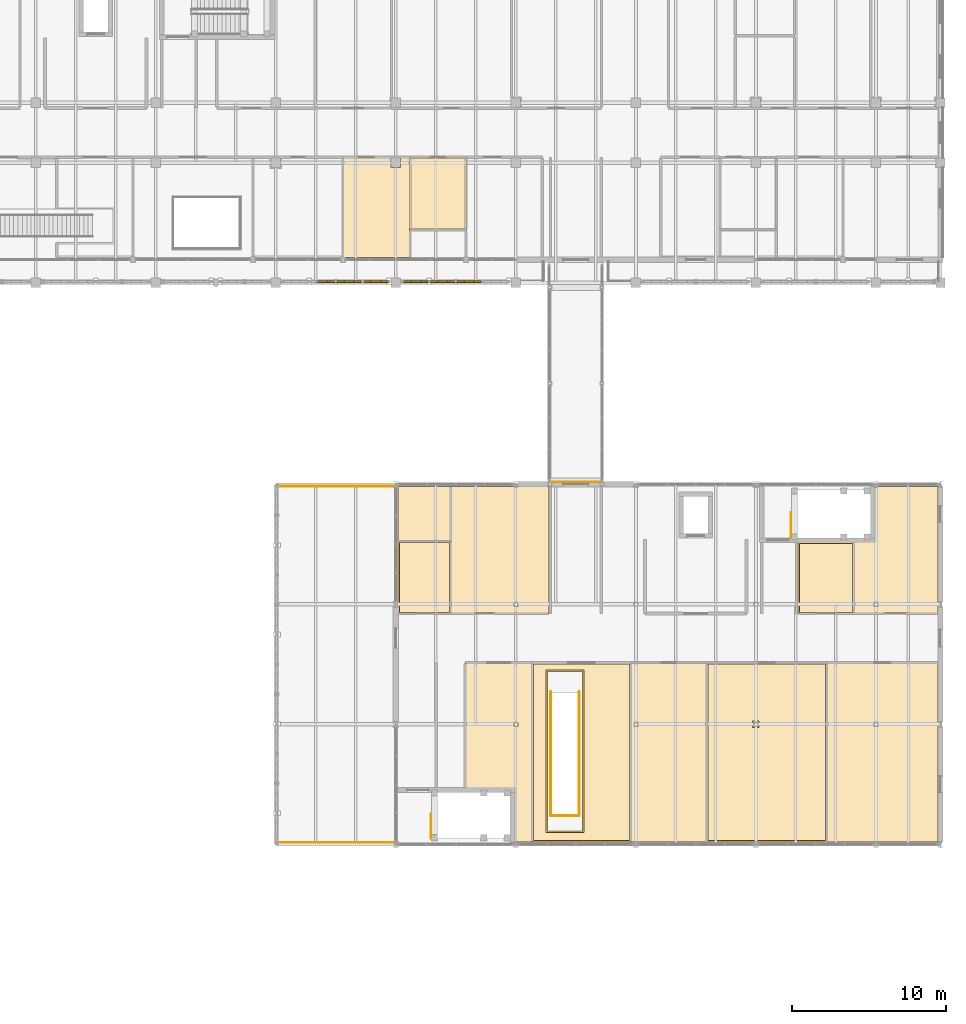
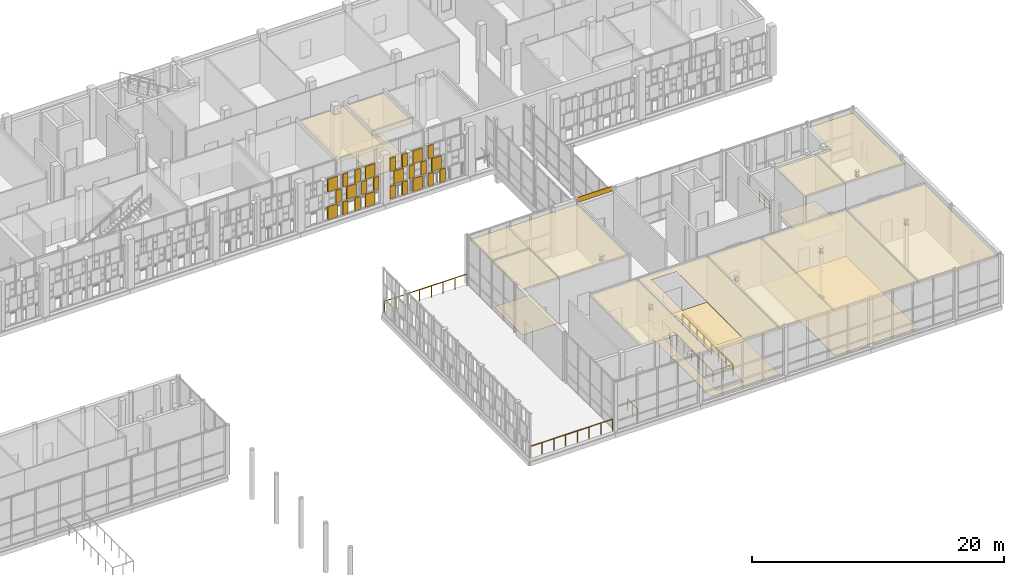
# One storey, part 136 of 138: 42 coverings, 7 railings.
"""IFC4 building model written with IfcOpenShell, lengths in metres."""

from ifc_helpers import new_model, si_unit, direction, frame, origin, origin_2d, place, context, subcontext, project, spatial, polyline, rectangle, circle, outline, extrude, material, layer, layer_set, type_object, element, save


model = new_model("IFC4")

# Units and contexts
model_context = context("Model", 3, precision=1e-05, world=origin(), true_north=direction((0.0, 1.0)))
body_context = subcontext(model_context, "Body", "Model", "MODEL_VIEW")
ifc_project = project(units=[si_unit("LENGTHUNIT", "METRE"), si_unit("AREAUNIT", "SQUARE_METRE"), si_unit("VOLUMEUNIT", "CUBIC_METRE"), si_unit("PLANEANGLEUNIT", "RADIAN"), si_unit("MASSUNIT", "GRAM", prefix="KILO")], contexts=[model_context])

# Site, building, storey
site_placement = place(None, origin())
site = spatial("IfcSite", under=ifc_project, at=site_placement, CompositionType="ELEMENT")
building_placement = place(site_placement, origin())
building = spatial("IfcBuilding", under=site, at=building_placement, Name="Celorna Specialist Clinic", CompositionType="ELEMENT")
storey_placement = place(building_placement, frame((0.0, 0.0, 4.800048828125)))
storey = spatial("IfcBuildingStorey", under=building, at=storey_placement, Name="L01", CompositionType="ELEMENT", Elevation=4.800048828125)

# Railings
ifc_material_1 = material(Name="Stainless steel and laminated glass balustrade", Category="steel")
railing_type_1 = type_object("IfcRailingType", Name="BL-01", PredefinedType="BALUSTRADE", material=ifc_material_1)
railing_1_placement = place(storey_placement, frame((124.919921875, 83.280029296875, 0.0)))
element("IfcRailing", 1, at=railing_1_placement, inside=storey, type_object=railing_type_1, Name="Healing Cloister Veranda Terrace perimeter balustrade 2", PredefinedType="BALUSTRADE", context=body_context, shape_type="SweptSolid", body=[
    extrude(circle(Radius=0.02392578125, at=origin_2d()), frame((0.0, 0.0, 1.09619140625), z_axis=(1.0, 0.0, 0.0), x_axis=(0.0, 1.0, 0.0)), (0.0, 0.0, 1.0), 7.56005859375),
    extrude(circle(Radius=0.02099609375, at=origin_2d()), origin(), (0.0, 0.0, 1.0), 1.072021484375),
    extrude(circle(Radius=0.02099609375, at=origin_2d()), frame((1.080078125, 0.0, 0.0)), (0.0, 0.0, 1.0), 1.072021484375),
    extrude(circle(Radius=0.02099609375, at=origin_2d()), frame((2.159912109375, 0.0, 0.0)), (0.0, 0.0, 1.0), 1.072021484375),
    extrude(circle(Radius=0.02099609375, at=origin_2d()), frame((3.239990234375, 0.0, 0.0)), (0.0, 0.0, 1.0), 1.072021484375),
    extrude(circle(Radius=0.02099609375, at=origin_2d()), frame((4.320068359375, 0.0, 0.0)), (0.0, 0.0, 1.0), 1.072021484375),
    extrude(circle(Radius=0.02099609375, at=origin_2d()), frame((5.400146484375, 0.0, 0.0)), (0.0, 0.0, 1.0), 1.072021484375),
    extrude(circle(Radius=0.02099609375, at=origin_2d()), frame((6.47998046875, 0.0, 0.0)), (0.0, 0.0, 1.0), 1.072021484375),
    extrude(circle(Radius=0.02099609375, at=origin_2d()), frame((7.56005859375, 0.0, 0.0)), (0.0, 0.0, 1.0), 1.072021484375),
])
railing_2_placement = place(storey_placement, frame((132.47998046875, 60.1201171875, 0.0)))
element("IfcRailing", 2, at=railing_2_placement, inside=storey, type_object=railing_type_1, Name="Healing Cloister Veranda Terrace perimeter balustrade 4", PredefinedType="BALUSTRADE", context=body_context, shape_type="SweptSolid", body=[
    extrude(circle(Radius=0.02392578125, at=origin_2d()), frame((0.0, 0.0, 1.09619140625), z_axis=(-1.0, 0.0, 0.0), x_axis=(0.0, -1.0, 0.0)), (0.0, 0.0, 1.0), 7.56005859375),
    extrude(circle(Radius=0.02099609375, at=origin_2d()), origin(), (0.0, 0.0, 1.0), 1.072021484375),
    extrude(circle(Radius=0.02099609375, at=origin_2d()), frame((-1.080078125, 0.0, 0.0)), (0.0, 0.0, 1.0), 1.072021484375),
    extrude(circle(Radius=0.02099609375, at=origin_2d()), frame((-2.159912109375, 0.0, 0.0)), (0.0, 0.0, 1.0), 1.072021484375),
    extrude(circle(Radius=0.02099609375, at=origin_2d()), frame((-3.239990234375, 0.0, 0.0)), (0.0, 0.0, 1.0), 1.072021484375),
    extrude(circle(Radius=0.02099609375, at=origin_2d()), frame((-4.320068359375, 0.0, 0.0)), (0.0, 0.0, 1.0), 1.072021484375),
    extrude(circle(Radius=0.02099609375, at=origin_2d()), frame((-5.400146484375, 0.0, 0.0)), (0.0, 0.0, 1.0), 1.072021484375),
    extrude(circle(Radius=0.02099609375, at=origin_2d()), frame((-6.47998046875, 0.0, 0.0)), (0.0, 0.0, 1.0), 1.072021484375),
    extrude(circle(Radius=0.02099609375, at=origin_2d()), frame((-7.56005859375, 0.0, 0.0)), (0.0, 0.0, 1.0), 1.072021484375),
])
railing_3_placement = place(storey_placement, frame((142.679931640625, 69.9150390625, 0.0)))
element("IfcRailing", 3, at=railing_3_placement, inside=storey, type_object=railing_type_1, Name="Feature stair ST-18 upper well balustrade 1", PredefinedType="BALUSTRADE", context=body_context, shape_type="SweptSolid", body=[
    extrude(circle(Radius=0.02392578125, at=origin_2d()), frame((0.0, 0.0, 1.09619140625), z_axis=(0.0, -1.0, 0.0), x_axis=(1.0, 0.0, 0.0)), (0.0, 0.0, 1.0), 8.054931640625),
    extrude(circle(Radius=0.02099609375, at=origin_2d()), origin(), (0.0, 0.0, 1.0), 1.072021484375),
    extrude(circle(Radius=0.02099609375, at=origin_2d()), frame((0.0, -1.150634765625, 0.0)), (0.0, 0.0, 1.0), 1.072021484375),
    extrude(circle(Radius=0.02099609375, at=origin_2d()), frame((0.0, -2.301513671875, 0.0)), (0.0, 0.0, 1.0), 1.072021484375),
    extrude(circle(Radius=0.02099609375, at=origin_2d()), frame((0.0, -3.4521484375, 0.0)), (0.0, 0.0, 1.0), 1.072021484375),
    extrude(circle(Radius=0.02099609375, at=origin_2d()), frame((0.0, -4.602783203125, 0.0)), (0.0, 0.0, 1.0), 1.072021484375),
    extrude(circle(Radius=0.02099609375, at=origin_2d()), frame((0.0, -5.75341796875, 0.0)), (0.0, 0.0, 1.0), 1.072021484375),
    extrude(circle(Radius=0.02099609375, at=origin_2d()), frame((0.0, -6.904296875, 0.0)), (0.0, 0.0, 1.0), 1.072021484375),
    extrude(circle(Radius=0.02099609375, at=origin_2d()), frame((0.0, -8.054931640625, 0.0)), (0.0, 0.0, 1.0), 1.072021484375),
])
railing_4_placement = place(storey_placement, frame((142.679931640625, 61.860107421875, 0.0)))
element("IfcRailing", 4, at=railing_4_placement, inside=storey, type_object=railing_type_1, Name="Feature stair ST-18 upper well balustrade 2", PredefinedType="BALUSTRADE", context=body_context, shape_type="SweptSolid", body=[
    extrude(circle(Radius=0.02392578125, at=origin_2d()), frame((0.0, 0.0, 1.09619140625), z_axis=(1.0, 0.0, 0.0), x_axis=(0.0, 1.0, 0.0)), (0.0, 0.0, 1.0), 1.840087890625),
    extrude(circle(Radius=0.02099609375, at=origin_2d()), origin(), (0.0, 0.0, 1.0), 1.072021484375),
    extrude(circle(Radius=0.02099609375, at=origin_2d()), frame((0.919921875, 0.0, 0.0)), (0.0, 0.0, 1.0), 1.072021484375),
    extrude(circle(Radius=0.02099609375, at=origin_2d()), frame((1.840087890625, 0.0, 0.0)), (0.0, 0.0, 1.0), 1.072021484375),
])
railing_5_placement = place(storey_placement, frame((144.52001953125, 61.860107421875, 0.0)))
element("IfcRailing", 5, at=railing_5_placement, inside=storey, type_object=railing_type_1, Name="Feature stair ST-18 upper well balustrade 3", PredefinedType="BALUSTRADE", context=body_context, shape_type="SweptSolid", body=[
    extrude(circle(Radius=0.02392578125, at=origin_2d()), frame((0.0, 0.0, 1.09619140625), z_axis=(0.0, 1.0, 0.0), x_axis=(-1.0, 0.0, 0.0)), (0.0, 0.0, 1.0), 8.054931640625),
    extrude(circle(Radius=0.02099609375, at=origin_2d()), origin(), (0.0, 0.0, 1.0), 1.072021484375),
    extrude(circle(Radius=0.02099609375, at=origin_2d()), frame((0.0, 1.150634765625, 0.0)), (0.0, 0.0, 1.0), 1.072021484375),
    extrude(circle(Radius=0.02099609375, at=origin_2d()), frame((0.0, 2.301513671875, 0.0)), (0.0, 0.0, 1.0), 1.072021484375),
    extrude(circle(Radius=0.02099609375, at=origin_2d()), frame((0.0, 3.4521484375, 0.0)), (0.0, 0.0, 1.0), 1.072021484375),
    extrude(circle(Radius=0.02099609375, at=origin_2d()), frame((0.0, 4.602783203125, 0.0)), (0.0, 0.0, 1.0), 1.072021484375),
    extrude(circle(Radius=0.02099609375, at=origin_2d()), frame((0.0, 5.75341796875, 0.0)), (0.0, 0.0, 1.0), 1.072021484375),
    extrude(circle(Radius=0.02099609375, at=origin_2d()), frame((0.0, 6.904296875, 0.0)), (0.0, 0.0, 1.0), 1.072021484375),
    extrude(circle(Radius=0.02099609375, at=origin_2d()), frame((0.0, 8.054931640625, 0.0)), (0.0, 0.0, 1.0), 1.072021484375),
])

# Coverings
ifc_material_2 = material(Name="Hygienic acoustic mineral-fibre ceiling")
ifc_layer_1 = layer(ifc_material_2, 0.030029296875, Name="Hygienic acoustic mineral-fibre ceiling")
ifc_layer_set_1 = layer_set([ifc_layer_1], Name="Hygienic acoustic mineral-fibre ceiling")
covering_type_1 = type_object("IfcCoveringType", Name="CE-01", PredefinedType="CEILING", material=ifc_layer_set_1)
covering_1_placement = place(storey_placement, frame((0.0, 0.0, 4.329833984375)))
element("IfcCovering", 6, at=covering_1_placement, inside=storey, type_object=covering_type_1, Name="Acoustic ceiling L01-039", PredefinedType="CEILING", context=body_context, shape_type="SweptSolid", body=[
    extrude(outline(polyline([(140.324951171875, 63.6650390625), (137.10498046875, 63.6650390625), (137.10498046875, 71.81494140625), (141.485107421875, 71.81494140625), (141.485107421875, 60.155029296875), (140.554931640625, 60.155029296875), (140.554931640625, 60.18505859375), (140.324951171875, 60.18505859375), (140.324951171875, 63.6650390625)]), holes=[polyline([(140.530029296875, 67.929931640625), (140.27001953125, 67.929931640625), (140.27001953125, 67.669921875), (140.530029296875, 67.669921875), (140.530029296875, 67.929931640625)])]), origin(), (0.0, 0.0, 1.0), 0.030029296875),
])
covering_2_placement = place(storey_placement, frame((0.0, 0.0, 4.329833984375)))
element("IfcCovering", 7, at=covering_2_placement, inside=storey, type_object=covering_type_1, Name="Acoustic ceiling L01-040", PredefinedType="CEILING", context=body_context, shape_type="SweptSolid", body=[
    extrude(outline(polyline([(147.885009765625, 71.81494140625), (147.885009765625, 60.155029296875), (141.455078125, 60.155029296875), (141.455078125, 71.81494140625), (147.885009765625, 71.81494140625)]), holes=[polyline([(144.735107421875, 60.864990234375), (144.735107421875, 71.22998046875), (142.465087890625, 71.22998046875), (142.465087890625, 60.864990234375), (144.735107421875, 60.864990234375)])]), origin(), (0.0, 0.0, 1.0), 0.030029296875),
])
covering_3_placement = place(storey_placement, frame((0.0, 0.0, 4.329833984375)))
element("IfcCovering", 8, at=covering_3_placement, inside=storey, type_object=covering_type_1, Name="Acoustic ceiling L01-041", PredefinedType="CEILING", context=body_context, shape_type="SweptSolid", body=[
    extrude(outline(polyline([(152.8349609375, 71.81494140625), (152.8349609375, 60.155029296875), (148.35498046875, 60.155029296875), (148.35498046875, 60.18505859375), (148.044921875, 60.18505859375), (148.044921875, 60.155029296875), (147.85498046875, 60.155029296875), (147.85498046875, 71.81494140625), (152.8349609375, 71.81494140625)]), holes=[polyline([(148.330078125, 67.669921875), (148.330078125, 67.929931640625), (148.070068359375, 67.929931640625), (148.070068359375, 67.669921875), (148.330078125, 67.669921875)])]), origin(), (0.0, 0.0, 1.0), 0.030029296875),
])
covering_4_placement = place(storey_placement, frame((0.0, 0.0, 4.329833984375)))
element("IfcCovering", 9, at=covering_4_placement, inside=storey, type_object=covering_type_1, Name="Acoustic ceiling L01-042", PredefinedType="CEILING", context=body_context, shape_type="SweptSolid", body=[
    extrude(outline(polyline([(160.635009765625, 71.81494140625), (160.635009765625, 60.155029296875), (156.155029296875, 60.155029296875), (156.155029296875, 60.18505859375), (155.844970703125, 60.18505859375), (155.844970703125, 60.155029296875), (152.804931640625, 60.155029296875), (152.804931640625, 71.81494140625), (160.635009765625, 71.81494140625)]), holes=[polyline([(156.1298828125, 67.669921875), (156.1298828125, 67.929931640625), (155.8701171875, 67.929931640625), (155.8701171875, 67.669921875), (156.1298828125, 67.669921875)])]), origin(), (0.0, 0.0, 1.0), 0.030029296875),
])
covering_5_placement = place(storey_placement, frame((0.0, 0.0, 4.329833984375)))
element("IfcCovering", 10, at=covering_5_placement, inside=storey, type_object=covering_type_1, Name="Acoustic ceiling L01-043", PredefinedType="CEILING", context=body_context, shape_type="SweptSolid", body=[
    extrude(outline(polyline([(167.844970703125, 71.81494140625), (167.844970703125, 67.985107421875), (167.844970703125, 67.614990234375), (167.844970703125, 60.18505859375), (167.844970703125, 60.155029296875), (163.955078125, 60.155029296875), (163.955078125, 60.18505859375), (163.64501953125, 60.18505859375), (163.64501953125, 60.155029296875), (160.60498046875, 60.155029296875), (160.60498046875, 71.81494140625), (167.844970703125, 71.81494140625)]), holes=[polyline([(163.929931640625, 67.669921875), (163.929931640625, 67.929931640625), (163.669921875, 67.929931640625), (163.669921875, 67.669921875), (163.929931640625, 67.669921875)])]), origin(), (0.0, 0.0, 1.0), 0.030029296875),
])
covering_6_placement = place(storey_placement, frame((0.0, 0.0, 4.329833984375)))
element("IfcCovering", 11, at=covering_6_placement, inside=storey, type_object=covering_type_1, Name="Acoustic ceiling L01-044", PredefinedType="CEILING", context=body_context, shape_type="SweptSolid", body=[
    extrude(outline(polyline([(136.18505859375, 79.715087890625), (136.18505859375, 74.985107421875), (132.7548828125, 74.985107421875), (132.7548828125, 75.4150390625), (132.7548828125, 75.784912109375), (132.7548828125, 79.715087890625), (136.18505859375, 79.715087890625)])), origin(), (0.0, 0.0, 1.0), 0.030029296875),
])
covering_7_placement = place(storey_placement, frame((0.0, 0.0, 4.329833984375)))
element("IfcCovering", 12, at=covering_7_placement, inside=storey, type_object=covering_type_1, Name="Acoustic ceiling L01-045", PredefinedType="CEILING", context=body_context, shape_type="SweptSolid", body=[
    extrude(outline(polyline([(132.7548828125, 79.68505859375), (132.7548828125, 83.215087890625), (132.7548828125, 83.2451171875), (140.2451171875, 83.2451171875), (140.2451171875, 83.215087890625), (140.554931640625, 83.215087890625), (140.554931640625, 83.2451171875), (142.544921875, 83.2451171875), (142.544921875, 74.985107421875), (136.155029296875, 74.985107421875), (136.155029296875, 79.68505859375), (132.7548828125, 79.68505859375)]), holes=[polyline([(140.530029296875, 75.469970703125), (140.530029296875, 75.72998046875), (140.27001953125, 75.72998046875), (140.27001953125, 75.469970703125), (140.530029296875, 75.469970703125)])]), origin(), (0.0, 0.0, 1.0), 0.030029296875),
])
covering_8_placement = place(storey_placement, frame((0.0, 0.0, 4.329833984375)))
element("IfcCovering", 13, at=covering_8_placement, inside=storey, type_object=covering_type_1, Name="Acoustic ceiling L01-046", PredefinedType="CEILING", context=body_context, shape_type="SweptSolid", body=[
    extrude(outline(polyline([(158.7451171875, 79.635009765625), (162.385009765625, 79.635009765625), (162.385009765625, 74.985107421875), (158.7451171875, 74.985107421875), (158.7451171875, 79.635009765625)])), origin(), (0.0, 0.0, 1.0), 0.030029296875),
])
covering_9_placement = place(storey_placement, frame((0.0, 0.0, 4.329833984375)))
element("IfcCovering", 14, at=covering_9_placement, inside=storey, type_object=covering_type_1, Name="Acoustic ceiling L01-047", PredefinedType="CEILING", context=body_context, shape_type="SweptSolid", body=[
    extrude(outline(polyline([(167.844970703125, 83.2451171875), (167.844970703125, 83.215087890625), (167.844970703125, 75.784912109375), (167.844970703125, 75.4150390625), (167.844970703125, 74.985107421875), (162.35498046875, 74.985107421875), (162.35498046875, 79.635009765625), (163.72509765625, 79.635009765625), (163.72509765625, 83.215087890625), (163.955078125, 83.215087890625), (163.955078125, 83.2451171875), (167.844970703125, 83.2451171875)]), holes=[polyline([(163.929931640625, 75.72998046875), (163.669921875, 75.72998046875), (163.669921875, 75.469970703125), (163.929931640625, 75.469970703125), (163.929931640625, 75.72998046875)])]), origin(), (0.0, 0.0, 1.0), 0.030029296875),
])
covering_10_placement = place(storey_placement, frame((0.0, 0.0, 3.989990234375)))
element("IfcCovering", 15, at=covering_10_placement, inside=storey, type_object=covering_type_1, Name="Acoustic ceiling L01-067", PredefinedType="CEILING", context=body_context, shape_type="SweptSolid", body=[
    extrude(outline(polyline([(132.304931640625, 104.6650390625), (132.304931640625, 104.60498046875), (132.294921875, 104.60498046875), (132.294921875, 103.9951171875), (132.905029296875, 103.9951171875), (132.905029296875, 104.60498046875), (132.89501953125, 104.60498046875), (132.89501953125, 104.6650390625), (133.534912109375, 104.6650390625), (133.534912109375, 98.155029296875), (129.155029296875, 98.155029296875), (129.155029296875, 104.6650390625), (132.304931640625, 104.6650390625)])), origin(), (0.0, 0.0, 1.0), 0.030029296875),
])
covering_11_placement = place(storey_placement, frame((0.0, 0.0, 3.989990234375)))
element("IfcCovering", 16, at=covering_11_placement, inside=storey, type_object=covering_type_1, Name="Acoustic ceiling L01-068", PredefinedType="CEILING", context=body_context, shape_type="SweptSolid", body=[
    extrude(outline(polyline([(137.18505859375, 104.6650390625), (137.18505859375, 99.93505859375), (133.5048828125, 99.93505859375), (133.5048828125, 104.6650390625), (137.18505859375, 104.6650390625)])), origin(), (0.0, 0.0, 1.0), 0.030029296875),
])
ifc_material_3 = material(Name="Pero Pinheiro Lioz limestone rainscreen cladding", Category="masonry")
ifc_layer_2 = layer(ifc_material_3, 0.044921875, Name="Pero Pinheiro Lioz limestone rainscreen cladding")
ifc_layer_set_2 = layer_set([ifc_layer_2], Name="Pero Pinheiro Lioz limestone rainscreen cladding")
covering_type_2 = type_object("IfcCoveringType", Name="CL-01", PredefinedType="CLADDING", material=ifc_layer_set_2)
covering_12_placement = place(storey_placement, frame((144.300048828125, 83.547607421875, 4.259765625), z_axis=(0.0, 0.0, 1.0), x_axis=(1.0, 0.0, 0.0)))
element("IfcCovering", 17, at=covering_12_placement, inside=storey, type_object=covering_type_2, Name="Lioz spandrel cladding #151", PredefinedType="CLADDING", context=body_context, shape_type="SweptSolid", body=[
    extrude(rectangle(XDim=3.199951171875, YDim=0.044921875, at=origin_2d()), origin(), (0.0, 0.0, 1.0), 0.489990234375),
])
ifc_material_4 = material(Name="Perforated terracotta brick weave cladding", Category="masonry")
ifc_layer_3 = layer(ifc_material_4, 0.114990234375, Name="Perforated terracotta brick weave cladding")
ifc_layer_set_3 = layer_set([ifc_layer_3], Name="Perforated terracotta brick weave cladding")
covering_type_3 = type_object("IfcCoveringType", Name="CL-02", PredefinedType="CLADDING", material=ifc_layer_set_3)
covering_13_placement = place(storey_placement, frame((127.8349609375, 96.570068359375, 0.10009765625), z_axis=(0.0, 0.0, 1.0), x_axis=(1.0, 0.0, 0.0)))
element("IfcCovering", 18, at=covering_13_placement, inside=storey, type_object=covering_type_3, Name="Woven perforated terracotta brick course #784", PredefinedType="CLADDING", context=body_context, shape_type="SweptSolid", body=[
    extrude(rectangle(XDim=0.869384765625, YDim=0.114990234375, at=origin_2d()), origin(), (0.0, 0.0, 1.0), 1.24658203125),
])
covering_14_placement = place(storey_placement, frame((128.39453125, 96.570068359375, 1.44677734375), z_axis=(0.0, 0.0, 1.0), x_axis=(1.0, 0.0, 0.0)))
element("IfcCovering", 19, at=covering_14_placement, inside=storey, type_object=covering_type_3, Name="Woven perforated terracotta brick course #786", PredefinedType="CLADDING", context=body_context, shape_type="SweptSolid", body=[
    extrude(rectangle(XDim=0.490966796875, YDim=0.114990234375, at=origin_2d()), origin(), (0.0, 0.0, 1.0), 1.24658203125),
])
covering_15_placement = place(storey_placement, frame((127.8349609375, 96.570068359375, 2.793212890625), z_axis=(0.0, 0.0, 1.0), x_axis=(1.0, 0.0, 0.0)))
element("IfcCovering", 20, at=covering_15_placement, inside=storey, type_object=covering_type_3, Name="Woven perforated terracotta brick course #787", PredefinedType="CLADDING", context=body_context, shape_type="SweptSolid", body=[
    extrude(rectangle(XDim=0.869384765625, YDim=0.114990234375, at=origin_2d()), origin(), (0.0, 0.0, 1.0), 1.24658203125),
])
for number, where, z_axis, x_axis, name in (
    (21, (129.005615234375, 96.570068359375, 0.10009765625), (0.0, 0.0, 1.0), (1.0, 0.0, 0.0), "Woven perforated terracotta brick course #788"),
    (22, (130.12451171875, 96.570068359375, 0.10009765625), (0.0, 0.0, 1.0), (1.0, 0.0, 0.0), "Woven perforated terracotta brick course #789"),
):
    element("IfcCovering", number, at=place(storey_placement, frame(where, z_axis=z_axis, x_axis=x_axis)), inside=storey, type_object=covering_type_3, Name=name, PredefinedType="CLADDING", context=body_context, shape_type="SweptSolid", body=[
        extrude(rectangle(XDim=0.490966796875, YDim=0.114990234375, at=origin_2d()), origin(), (0.0, 0.0, 1.0), 1.24658203125),
    ])
covering_16_placement = place(storey_placement, frame((129.56494140625, 96.570068359375, 1.44677734375), z_axis=(0.0, 0.0, 1.0), x_axis=(1.0, 0.0, 0.0)))
element("IfcCovering", 23, at=covering_16_placement, inside=storey, type_object=covering_type_3, Name="Woven perforated terracotta brick course #790", PredefinedType="CLADDING", context=body_context, shape_type="SweptSolid", body=[
    extrude(rectangle(XDim=0.869384765625, YDim=0.114990234375, at=origin_2d()), origin(), (0.0, 0.0, 1.0), 1.24658203125),
])
for number, where, z_axis, x_axis, name in (
    (24, (129.005615234375, 96.570068359375, 2.793212890625), (0.0, 0.0, 1.0), (1.0, 0.0, 0.0), "Woven perforated terracotta brick course #791"),
    (25, (130.12451171875, 96.570068359375, 2.793212890625), (0.0, 0.0, 1.0), (1.0, 0.0, 0.0), "Woven perforated terracotta brick course #792"),
):
    element("IfcCovering", number, at=place(storey_placement, frame(where, z_axis=z_axis, x_axis=x_axis)), inside=storey, type_object=covering_type_3, Name=name, PredefinedType="CLADDING", context=body_context, shape_type="SweptSolid", body=[
        extrude(rectangle(XDim=0.490966796875, YDim=0.114990234375, at=origin_2d()), origin(), (0.0, 0.0, 1.0), 1.24658203125),
    ])
covering_17_placement = place(storey_placement, frame((131.294921875, 96.570068359375, 0.10009765625), z_axis=(0.0, 0.0, 1.0), x_axis=(1.0, 0.0, 0.0)))
element("IfcCovering", 26, at=covering_17_placement, inside=storey, type_object=covering_type_3, Name="Woven perforated terracotta brick course #793", PredefinedType="CLADDING", context=body_context, shape_type="SweptSolid", body=[
    extrude(rectangle(XDim=0.869384765625, YDim=0.114990234375, at=origin_2d()), origin(), (0.0, 0.0, 1.0), 1.24658203125),
])
for number, where, z_axis, x_axis, name in (
    (27, (130.735595703125, 96.570068359375, 1.44677734375), (0.0, 0.0, 1.0), (1.0, 0.0, 0.0), "Woven perforated terracotta brick course #794"),
    (28, (131.8544921875, 96.570068359375, 1.44677734375), (0.0, 0.0, 1.0), (1.0, 0.0, 0.0), "Woven perforated terracotta brick course #795"),
):
    element("IfcCovering", number, at=place(storey_placement, frame(where, z_axis=z_axis, x_axis=x_axis)), inside=storey, type_object=covering_type_3, Name=name, PredefinedType="CLADDING", context=body_context, shape_type="SweptSolid", body=[
        extrude(rectangle(XDim=0.490966796875, YDim=0.114990234375, at=origin_2d()), origin(), (0.0, 0.0, 1.0), 1.24658203125),
    ])
covering_18_placement = place(storey_placement, frame((131.294921875, 96.570068359375, 2.793212890625), z_axis=(0.0, 0.0, 1.0), x_axis=(1.0, 0.0, 0.0)))
element("IfcCovering", 29, at=covering_18_placement, inside=storey, type_object=covering_type_3, Name="Woven perforated terracotta brick course #796", PredefinedType="CLADDING", context=body_context, shape_type="SweptSolid", body=[
    extrude(rectangle(XDim=0.869384765625, YDim=0.114990234375, at=origin_2d()), origin(), (0.0, 0.0, 1.0), 1.24658203125),
])
for number, where, z_axis, x_axis, name in (
    (30, (133.345458984375, 96.570068359375, 0.10009765625), (0.0, 0.0, 1.0), (1.0, 0.0, 0.0), "Woven perforated terracotta brick course #797"),
    (31, (134.464599609375, 96.570068359375, 0.10009765625), (0.0, 0.0, 1.0), (1.0, 0.0, 0.0), "Woven perforated terracotta brick course #798"),
):
    element("IfcCovering", number, at=place(storey_placement, frame(where, z_axis=z_axis, x_axis=x_axis)), inside=storey, type_object=covering_type_3, Name=name, PredefinedType="CLADDING", context=body_context, shape_type="SweptSolid", body=[
        extrude(rectangle(XDim=0.490966796875, YDim=0.114990234375, at=origin_2d()), origin(), (0.0, 0.0, 1.0), 1.24658203125),
    ])
covering_19_placement = place(storey_placement, frame((133.905029296875, 96.570068359375, 1.44677734375), z_axis=(0.0, 0.0, 1.0), x_axis=(1.0, 0.0, 0.0)))
element("IfcCovering", 32, at=covering_19_placement, inside=storey, type_object=covering_type_3, Name="Woven perforated terracotta brick course #799", PredefinedType="CLADDING", context=body_context, shape_type="SweptSolid", body=[
    extrude(rectangle(XDim=0.869384765625, YDim=0.114990234375, at=origin_2d()), origin(), (0.0, 0.0, 1.0), 1.24658203125),
])
for number, where, z_axis, x_axis, name in (
    (33, (133.345458984375, 96.570068359375, 2.793212890625), (0.0, 0.0, 1.0), (1.0, 0.0, 0.0), "Woven perforated terracotta brick course #800"),
    (34, (134.464599609375, 96.570068359375, 2.793212890625), (0.0, 0.0, 1.0), (1.0, 0.0, 0.0), "Woven perforated terracotta brick course #801"),
):
    element("IfcCovering", number, at=place(storey_placement, frame(where, z_axis=z_axis, x_axis=x_axis)), inside=storey, type_object=covering_type_3, Name=name, PredefinedType="CLADDING", context=body_context, shape_type="SweptSolid", body=[
        extrude(rectangle(XDim=0.490966796875, YDim=0.114990234375, at=origin_2d()), origin(), (0.0, 0.0, 1.0), 1.24658203125),
    ])
covering_20_placement = place(storey_placement, frame((135.635009765625, 96.570068359375, 0.10009765625), z_axis=(0.0, 0.0, 1.0), x_axis=(1.0, 0.0, 0.0)))
element("IfcCovering", 35, at=covering_20_placement, inside=storey, type_object=covering_type_3, Name="Woven perforated terracotta brick course #802", PredefinedType="CLADDING", context=body_context, shape_type="SweptSolid", body=[
    extrude(rectangle(XDim=0.869384765625, YDim=0.114990234375, at=origin_2d()), origin(), (0.0, 0.0, 1.0), 1.24658203125),
])
for number, where, z_axis, x_axis, name in (
    (36, (135.075439453125, 96.570068359375, 1.44677734375), (0.0, 0.0, 1.0), (1.0, 0.0, 0.0), "Woven perforated terracotta brick course #803"),
    (37, (136.194580078125, 96.570068359375, 1.44677734375), (0.0, 0.0, 1.0), (1.0, 0.0, 0.0), "Woven perforated terracotta brick course #804"),
):
    element("IfcCovering", number, at=place(storey_placement, frame(where, z_axis=z_axis, x_axis=x_axis)), inside=storey, type_object=covering_type_3, Name=name, PredefinedType="CLADDING", context=body_context, shape_type="SweptSolid", body=[
        extrude(rectangle(XDim=0.490966796875, YDim=0.114990234375, at=origin_2d()), origin(), (0.0, 0.0, 1.0), 1.24658203125),
    ])
covering_21_placement = place(storey_placement, frame((135.635009765625, 96.570068359375, 2.793212890625), z_axis=(0.0, 0.0, 1.0), x_axis=(1.0, 0.0, 0.0)))
element("IfcCovering", 38, at=covering_21_placement, inside=storey, type_object=covering_type_3, Name="Woven perforated terracotta brick course #805", PredefinedType="CLADDING", context=body_context, shape_type="SweptSolid", body=[
    extrude(rectangle(XDim=0.869384765625, YDim=0.114990234375, at=origin_2d()), origin(), (0.0, 0.0, 1.0), 1.24658203125),
])
for number, where, z_axis, x_axis, name in (
    (39, (136.805419921875, 96.570068359375, 0.10009765625), (0.0, 0.0, 1.0), (1.0, 0.0, 0.0), "Woven perforated terracotta brick course #806"),
    (40, (137.924560546875, 96.570068359375, 0.10009765625), (0.0, 0.0, 1.0), (1.0, 0.0, 0.0), "Woven perforated terracotta brick course #807"),
):
    element("IfcCovering", number, at=place(storey_placement, frame(where, z_axis=z_axis, x_axis=x_axis)), inside=storey, type_object=covering_type_3, Name=name, PredefinedType="CLADDING", context=body_context, shape_type="SweptSolid", body=[
        extrude(rectangle(XDim=0.490966796875, YDim=0.114990234375, at=origin_2d()), origin(), (0.0, 0.0, 1.0), 1.24658203125),
    ])
covering_22_placement = place(storey_placement, frame((137.364990234375, 96.570068359375, 1.44677734375), z_axis=(0.0, 0.0, 1.0), x_axis=(1.0, 0.0, 0.0)))
element("IfcCovering", 41, at=covering_22_placement, inside=storey, type_object=covering_type_3, Name="Woven perforated terracotta brick course #808", PredefinedType="CLADDING", context=body_context, shape_type="SweptSolid", body=[
    extrude(rectangle(XDim=0.869384765625, YDim=0.114990234375, at=origin_2d()), origin(), (0.0, 0.0, 1.0), 1.24658203125),
])
covering_23_placement = place(storey_placement, frame((136.805419921875, 96.570068359375, 2.793212890625), z_axis=(0.0, 0.0, 1.0), x_axis=(1.0, 0.0, 0.0)))
element("IfcCovering", 42, at=covering_23_placement, inside=storey, type_object=covering_type_3, Name="Woven perforated terracotta brick course #809", PredefinedType="CLADDING", context=body_context, shape_type="SweptSolid", body=[
    extrude(rectangle(XDim=0.490966796875, YDim=0.114990234375, at=origin_2d()), origin(), (0.0, 0.0, 1.0), 1.24658203125),
])
ifc_material_5 = material(Name="Seamless antimicrobial clinical vinyl and Lioz terrazzo flooring")
ifc_layer_4 = layer(ifc_material_5, 0.02001953125, Name="Seamless antimicrobial clinical vinyl and Lioz terrazzo flooring")
ifc_layer_set_4 = layer_set([ifc_layer_4], Name="Seamless antimicrobial clinical vinyl and Lioz terrazzo flooring")
covering_type_4 = type_object("IfcCoveringType", Name="FL-01", PredefinedType="FLOORING", material=ifc_layer_set_4)
covering_24_placement = place(storey_placement, origin())
element("IfcCovering", 43, at=covering_24_placement, inside=storey, type_object=covering_type_4, Name="Antimicrobial clinical flooring L01-040", PredefinedType="FLOORING", context=body_context, shape_type="SweptSolid", body=[
    extrude(outline(polyline([(141.544921875, 71.72509765625), (147.794921875, 71.72509765625), (147.794921875, 60.2451171875), (141.544921875, 60.2451171875), (141.544921875, 71.72509765625)]), holes=[polyline([(142.375, 60.77490234375), (144.824951171875, 60.77490234375), (144.824951171875, 71.320068359375), (142.375, 71.320068359375), (142.375, 60.77490234375)])]), origin(), (0.0, 0.0, 1.0), 0.02001953125),
])
covering_25_placement = place(storey_placement, origin())
element("IfcCovering", 44, at=covering_25_placement, inside=storey, type_object=covering_type_4, Name="Antimicrobial clinical flooring L01-042", PredefinedType="FLOORING", context=body_context, shape_type="SweptSolid", body=[
    extrude(outline(polyline([(152.89501953125, 71.72509765625), (160.544921875, 71.72509765625), (160.544921875, 60.2451171875), (156.235107421875, 60.2451171875), (156.235107421875, 60.264892578125), (155.764892578125, 60.264892578125), (155.764892578125, 60.2451171875), (152.89501953125, 60.2451171875), (152.89501953125, 71.72509765625)]), holes=[polyline([(156.2099609375, 67.590087890625), (156.2099609375, 68.010009765625), (155.7900390625, 68.010009765625), (155.7900390625, 67.590087890625), (156.2099609375, 67.590087890625)])]), origin(), (0.0, 0.0, 1.0), 0.02001953125),
])
covering_26_placement = place(storey_placement, origin())
element("IfcCovering", 45, at=covering_26_placement, inside=storey, type_object=covering_type_4, Name="Antimicrobial clinical flooring L01-044", PredefinedType="FLOORING", context=body_context, shape_type="SweptSolid", body=[
    extrude(outline(polyline([(132.844970703125, 79.625), (136.094970703125, 79.625), (136.094970703125, 75.074951171875), (132.844970703125, 75.074951171875), (132.844970703125, 79.625)])), origin(), (0.0, 0.0, 1.0), 0.02001953125),
])
covering_27_placement = place(storey_placement, origin())
element("IfcCovering", 46, at=covering_27_placement, inside=storey, type_object=covering_type_4, Name="Antimicrobial clinical flooring L01-046", PredefinedType="FLOORING", context=body_context, shape_type="SweptSolid", body=[
    extrude(outline(polyline([(158.8349609375, 75.074951171875), (158.8349609375, 79.544921875), (162.294921875, 79.544921875), (162.294921875, 75.074951171875), (158.8349609375, 75.074951171875)])), origin(), (0.0, 0.0, 1.0), 0.02001953125),
])
covering_28_placement = place(storey_placement, origin())
element("IfcCovering", 47, at=covering_28_placement, inside=storey, type_object=covering_type_4, Name="Antimicrobial clinical flooring L01-068", PredefinedType="FLOORING", context=body_context, shape_type="SweptSolid", body=[
    extrude(outline(polyline([(133.594970703125, 104.574951171875), (137.094970703125, 104.574951171875), (137.094970703125, 100.02490234375), (133.594970703125, 100.02490234375), (133.594970703125, 104.574951171875)])), origin(), (0.0, 0.0, 1.0), 0.02001953125),
])

# Railings
ifc_material_6 = material(Name="Powder-coated steel S355", Category="steel")
railing_type_2 = type_object("IfcRailingType", Name="GR-01", PredefinedType="GUARDRAIL", material=ifc_material_6)
railing_6_placement = place(storey_placement, frame((158.2900390625, 79.919921875, 0.0)))
element("IfcRailing", 48, at=railing_6_placement, inside=storey, type_object=railing_type_2, Name="L01 ST-12 top well guard 1", PredefinedType="GUARDRAIL", context=body_context, shape_type="SweptSolid", body=[
    extrude(circle(Radius=0.02392578125, at=origin_2d()), frame((0.0, 0.0, 1.09619140625), z_axis=(0.0, 1.0, 0.0), x_axis=(-1.0, 0.0, 0.0)), (0.0, 0.0, 1.0), 1.650146484375),
    extrude(circle(Radius=0.02099609375, at=origin_2d()), origin(), (0.0, 0.0, 1.0), 1.072021484375),
    extrude(circle(Radius=0.02099609375, at=origin_2d()), frame((0.0, 0.8251953125, 0.0)), (0.0, 0.0, 1.0), 1.072021484375),
    extrude(circle(Radius=0.02099609375, at=origin_2d()), frame((0.0, 1.650146484375, 0.0)), (0.0, 0.0, 1.0), 1.072021484375),
])
railing_7_placement = place(storey_placement, frame((134.889892578125, 60.3798828125, 0.0)))
element("IfcRailing", 49, at=railing_7_placement, inside=storey, type_object=railing_type_2, Name="L01 ST-13 top well guard 1", PredefinedType="GUARDRAIL", context=body_context, shape_type="SweptSolid", body=[
    extrude(circle(Radius=0.02392578125, at=origin_2d()), frame((0.0, 0.0, 1.09619140625), z_axis=(0.0, 1.0, 0.0), x_axis=(-1.0, 0.0, 0.0)), (0.0, 0.0, 1.0), 1.60009765625),
    extrude(circle(Radius=0.02099609375, at=origin_2d()), origin(), (0.0, 0.0, 1.0), 1.072021484375),
    extrude(circle(Radius=0.02099609375, at=origin_2d()), frame((0.0, 0.800048828125, 0.0)), (0.0, 0.0, 1.0), 1.072021484375),
    extrude(circle(Radius=0.02099609375, at=origin_2d()), frame((0.0, 1.60009765625, 0.0)), (0.0, 0.0, 1.0), 1.072021484375),
])

save(model, "model.ifc")
